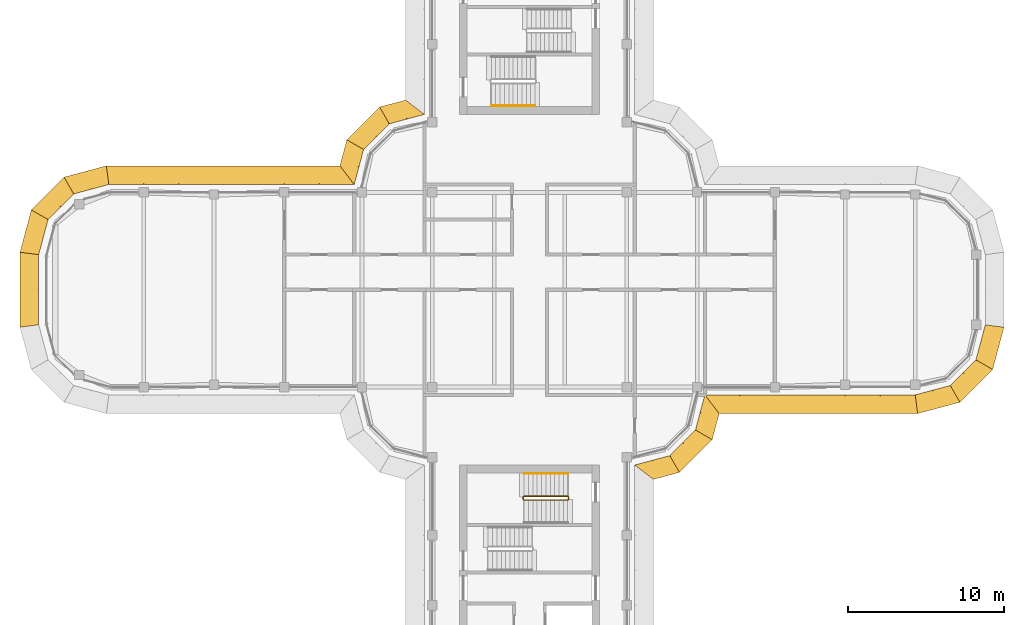
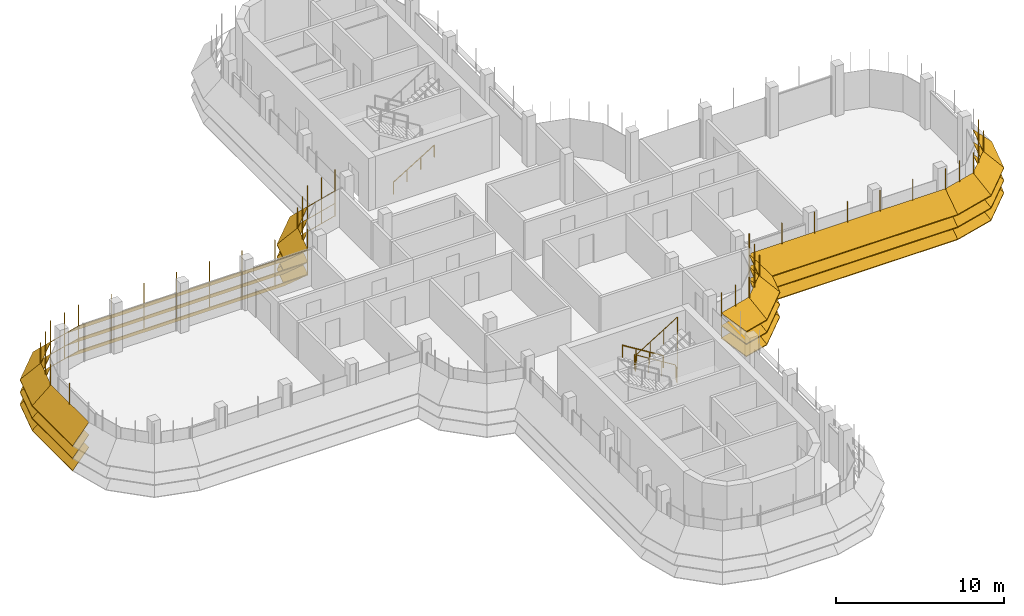
# One storey, part 17 of 19: 7 shading devices, 3 railings.
"""IFC4 building model written with IfcOpenShell, lengths in metres."""

from ifc_helpers import new_model, si_unit, direction, frame, origin, origin_2d, place, context, subcontext, project, spatial, polyline, circle, outline, extrude, faceted_brep, source, transform, mapped, material, type_object, element, save


model = new_model("IFC4")

# Units and contexts
model_context = context("Model", 3, precision=1e-05, world=origin(), true_north=direction((0.0, 1.0)))
body_context = subcontext(model_context, "Body", "Model", "MODEL_VIEW")
ifc_project = project(units=[si_unit("LENGTHUNIT", "METRE"), si_unit("AREAUNIT", "SQUARE_METRE"), si_unit("VOLUMEUNIT", "CUBIC_METRE"), si_unit("PLANEANGLEUNIT", "RADIAN"), si_unit("MASSUNIT", "GRAM", prefix="KILO")], contexts=[model_context])

# Site, building, storey
site_placement = place(None, origin())
site = spatial("IfcSite", under=ifc_project, at=site_placement, CompositionType="ELEMENT")
building_placement = place(site_placement, origin())
building = spatial("IfcBuilding", under=site, at=building_placement, Name="Zarbagh Exchange Tower", CompositionType="ELEMENT")
storey_placement = place(building_placement, frame((0.0, 0.0, 257.39990234375)))
storey = spatial("IfcBuildingStorey", under=building, at=storey_placement, Name="L63", CompositionType="ELEMENT", Elevation=257.39990234375)

# Railings
ifc_material_1 = material(Name="Stainless steel", Category="steel")
railing_type_1 = type_object("IfcRailingType", Name="Stair guard 1100 mm", PredefinedType="GUARDRAIL", material=ifc_material_1)
railing_1_placement = place(storey_placement, frame((-0.35009765625, -13.5, 2.07275390625)))
element("IfcRailing", 1, at=railing_1_placement, inside=storey, type_object=railing_type_1, Name="ST4 stair guard 1", PredefinedType="GUARDRAIL", context=body_context, shape_type="SweptSolid", body=[
    extrude(circle(Radius=0.02392578125, at=origin_2d()), frame((0.0, 0.0, 1.076171875), z_axis=(0.851089632645, 0.0, 0.525020415988), x_axis=(0.0, 1.0, 0.0)), (0.0, 0.0, 1.0), 3.2900390625),
    extrude(circle(Radius=0.02392578125, at=origin_2d()), frame((2.800048828125, 0.0, 2.80322265625), z_axis=(0.013168290981, 0.013168290981, -0.999826581076), x_axis=(-0.707106781187, 0.707106781187, 0.0)), (0.0, 0.0, 1.0), 3.80078125),
    extrude(circle(Radius=0.02392578125, at=origin_2d()), frame((2.85009765625, 0.050048828125, -0.99658203125), z_axis=(0.0, 1.0, 0.0), x_axis=(-1.0, 0.0, 0.0)), (0.0, 0.0, 1.0), 0.14990234375),
    extrude(circle(Radius=0.02392578125, at=origin_2d()), frame((2.85009765625, 0.199951171875, -0.99658203125), z_axis=(-0.267953482034, 0.267953482034, 0.925419830635), x_axis=(-0.707106781187, -0.707106781187, 0.0)), (0.0, 0.0, 1.0), 0.186767578125),
    extrude(circle(Radius=0.02392578125, at=origin_2d()), frame((2.800048828125, 0.25, -0.82373046875), z_axis=(-0.851089632645, 0.0, 0.525020415988), x_axis=(0.0, -1.0, 0.0)), (0.0, 0.0, 1.0), 3.2900390625),
    extrude(circle(Radius=0.02392578125, at=origin_2d()), frame((0.0, 0.25, 0.9033203125), z_axis=(-0.705375805398, -0.708833529934, 0.0), x_axis=(0.708833529934, -0.705375805398, 0.0)), (0.0, 0.0, 1.0), 0.070556640625),
    extrude(circle(Radius=0.02392578125, at=origin_2d()), frame((-0.0498046875, 0.199951171875, 0.9033203125), z_axis=(0.0, -1.0, 0.0), x_axis=(1.0, 0.0, 0.0)), (0.0, 0.0, 1.0), 0.14990234375),
    extrude(circle(Radius=0.02099609375, at=origin_2d()), origin(), (0.0, 0.0, 1.0), 1.052001953125),
    extrude(circle(Radius=0.02099609375, at=origin_2d()), frame((0.933349609375, 0.0, 0.57568359375)), (0.0, 0.0, 1.0), 1.052001953125),
    extrude(circle(Radius=0.02099609375, at=origin_2d()), frame((1.86669921875, 0.0, 1.151611328125)), (0.0, 0.0, 1.0), 1.052001953125),
    extrude(circle(Radius=0.02099609375, at=origin_2d()), frame((2.800048828125, 0.0, 1.727294921875)), (0.0, 0.0, 1.0), 1.052001953125),
    extrude(circle(Radius=0.02099609375, at=origin_2d()), frame((2.8125, 0.012451171875, 0.77734375)), (0.0, 0.0, 1.0), 1.052001953125),
    extrude(circle(Radius=0.02099609375, at=origin_2d()), frame((2.8251953125, 0.02490234375, -0.1728515625)), (0.0, 0.0, 1.0), 1.052001953125),
    extrude(circle(Radius=0.02099609375, at=origin_2d()), frame((2.837646484375, 0.03759765625, -1.122802734375)), (0.0, 0.0, 1.0), 1.052001953125),
    extrude(circle(Radius=0.02099609375, at=origin_2d()), frame((2.85009765625, 0.050048828125, -2.07275390625)), (0.0, 0.0, 1.0), 1.052001953125),
    extrude(circle(Radius=0.02099609375, at=origin_2d()), frame((2.85009765625, 0.199951171875, -2.07275390625)), (0.0, 0.0, 1.0), 1.052001953125),
    extrude(circle(Radius=0.02099609375, at=origin_2d()), frame((2.800048828125, 0.25, -1.89990234375)), (0.0, 0.0, 1.0), 1.052001953125),
    extrude(circle(Radius=0.02099609375, at=origin_2d()), frame((1.86669921875, 0.25, -1.32421875)), (0.0, 0.0, 1.0), 1.052001953125),
    extrude(circle(Radius=0.02099609375, at=origin_2d()), frame((0.933349609375, 0.25, -0.748291015625)), (0.0, 0.0, 1.0), 1.052001953125),
    extrude(circle(Radius=0.02099609375, at=origin_2d()), frame((0.0, 0.25, -0.172607421875)), (0.0, 0.0, 1.0), 1.052001953125),
    extrude(circle(Radius=0.02099609375, at=origin_2d()), frame((-0.0498046875, 0.199951171875, -0.172607421875)), (0.0, 0.0, 1.0), 1.052001953125),
    extrude(circle(Radius=0.02099609375, at=origin_2d()), frame((-0.0498046875, 0.050048828125, -0.172607421875)), (0.0, 0.0, 1.0), 1.052001953125),
])
railing_type_2 = type_object("IfcRailingType", Name="Stair handrail 900 mm", PredefinedType="HANDRAIL", material=ifc_material_1)
railing_2_placement = place(storey_placement, frame((-2.449951171875, 11.800048828125, 0.1728515625)))
element("IfcRailing", 2, at=railing_2_placement, inside=storey, type_object=railing_type_2, Name="ST2 stair handrail 1", PredefinedType="HANDRAIL", context=body_context, shape_type="SweptSolid", body=[
    extrude(circle(Radius=0.02392578125, at=origin_2d()), frame((0.0, 0.0, 0.8759765625), z_axis=(0.851089632645, 0.0, 0.525020415988), x_axis=(0.0, 1.0, 0.0)), (0.0, 0.0, 1.0), 3.2900390625),
    extrude(circle(Radius=0.02099609375, at=origin_2d()), origin(), (0.0, 0.0, 1.0), 0.851806640625),
    extrude(circle(Radius=0.02099609375, at=origin_2d()), frame((0.933349609375, 0.0, 0.57568359375)), (0.0, 0.0, 1.0), 0.851806640625),
    extrude(circle(Radius=0.02099609375, at=origin_2d()), frame((1.86669921875, 0.0, 1.151611328125)), (0.0, 0.0, 1.0), 0.851806640625),
    extrude(circle(Radius=0.02099609375, at=origin_2d()), frame((2.800048828125, 0.0, 1.727294921875)), (0.0, 0.0, 1.0), 0.851806640625),
])
railing_3_placement = place(storey_placement, frame((2.449951171875, -11.800048828125, 0.1728515625)))
element("IfcRailing", 3, at=railing_3_placement, inside=storey, type_object=railing_type_2, Name="ST4 stair handrail 1", PredefinedType="HANDRAIL", context=body_context, shape_type="SweptSolid", body=[
    extrude(circle(Radius=0.02392578125, at=origin_2d()), frame((0.0, 0.0, 0.8759765625), z_axis=(-0.851089632645, 0.0, 0.525020415988), x_axis=(0.0, -1.0, 0.0)), (0.0, 0.0, 1.0), 3.2900390625),
    extrude(circle(Radius=0.02099609375, at=origin_2d()), origin(), (0.0, 0.0, 1.0), 0.851806640625),
    extrude(circle(Radius=0.02099609375, at=origin_2d()), frame((-0.933349609375, 0.0, 0.57568359375)), (0.0, 0.0, 1.0), 0.851806640625),
    extrude(circle(Radius=0.02099609375, at=origin_2d()), frame((-1.86669921875, 0.0, 1.151611328125)), (0.0, 0.0, 1.0), 0.851806640625),
    extrude(circle(Radius=0.02099609375, at=origin_2d()), frame((-2.800048828125, 0.0, 1.727294921875)), (0.0, 0.0, 1.0), 0.851806640625),
])

# Shading devices
ifc_material_2 = material(Name="Anodised aluminium blades and brackets", Category="aluminium")
shading_device_type = type_object("IfcShadingDeviceType", Name="SUNSHADE louvre band, 45 degree blades", PredefinedType="JALOUSIE", material=ifc_material_2)
shared_shape_1 = source(origin(), body_context, "Body", "Brep", [
    faceted_brep([(0.0, 0.0, 0.0), (0.0, 0.0, -0.056640625), (-0.157958984375, -1.199951171875, -1.256591796875), (-0.157958984375, -1.199951171875, -1.199951171875), (2.65087890625, -1.199951171875, -1.199951171875), (2.65087890625, -1.199951171875, -1.256591796875), (2.329345703125, 0.0, -0.056640625), (2.329345703125, 0.0, 0.0)], [[[0, 1, 2, 3]], [[4, 5, 6, 7]], [[0, 7, 6, 1]], [[1, 6, 5, 2]], [[2, 5, 4, 3]], [[3, 4, 7, 0]]]),
])
shared_shape_2 = source(origin(), body_context, "Body", "Brep", [
    faceted_brep([(0.0, 0.0, 0.0), (0.0, 0.0, -0.056640625), (-0.321533203125, -1.199951171875, -1.256591796875), (-0.321533203125, -1.199951171875, -1.199951171875), (2.65087890625, -1.199951171875, -1.199951171875), (2.65087890625, -1.199951171875, -1.256591796875), (2.329345703125, 0.0, -0.056640625), (2.329345703125, 0.0, 0.0)], [[[0, 1, 2, 3]], [[4, 5, 6, 7]], [[0, 7, 6, 1]], [[1, 6, 5, 2]], [[2, 5, 4, 3]], [[3, 4, 7, 0]]]),
])
shared_shape_3 = source(origin(), body_context, "Body", "Brep", [
    faceted_brep([(0.0, 0.0, 0.0), (0.0, 0.0, -0.056640625), (-0.321533203125, -1.199951171875, -1.256591796875), (-0.321533203125, -1.199951171875, -1.199951171875), (2.4873046875, -1.199951171875, -1.199951171875), (2.4873046875, -1.199951171875, -1.256591796875), (2.329345703125, 0.0, -0.056640625), (2.329345703125, 0.0, 0.0)], [[[0, 1, 2, 3]], [[4, 5, 6, 7]], [[0, 7, 6, 1]], [[1, 6, 5, 2]], [[2, 5, 4, 3]], [[3, 4, 7, 0]]]),
])
shared_shape_4 = source(origin(), body_context, "Body", "SweptSolid", [
    extrude(outline(polyline([(0.0, -0.012451171875), (0.06005859375, -0.012451171875), (0.06005859375, 0.012451171875), (0.0, 0.012451171875), (0.0, -0.012451171875)])), origin(), (0.0, 0.0, 1.0), 3.366455078125),
])
placement = place(storey_placement, origin())
element("IfcShadingDevice", 4, at=placement, inside=storey, type_object=shading_device_type, Name="SS51 sunshade band", PredefinedType="JALOUSIE", context=body_context, shape_type="MappedRepresentation", body=[
    mapped(shared_shape_1, transform((24.75, -6.75, 2.300048828125), x_axis=(0.965924289636, 0.258824779902, 0.0), y_axis=(-0.258824779902, 0.965924289636, 0.0), z_axis=(0.0, 0.0, 1.0))),
    mapped(shared_shape_1, transform((24.75, -6.75, 1.400146484375), x_axis=(0.965924289636, 0.258824779902, 0.0), y_axis=(-0.258824779902, 0.965924289636, 0.0), z_axis=(0.0, 0.0, 1.0))),
    mapped(shared_shape_1, transform((24.75, -6.75, 0.5), x_axis=(0.965924289636, 0.258824779902, 0.0), y_axis=(-0.258824779902, 0.965924289636, 0.0), z_axis=(0.0, 0.0, 1.0))),
    mapped(shared_shape_2, transform((27.0, -6.147216796875, 2.300048828125), x_axis=(0.707106781187, 0.707106781187, 0.0), y_axis=(-0.707106781187, 0.707106781187, 0.0), z_axis=(0.0, 0.0, 1.0))),
    mapped(shared_shape_2, transform((27.0, -6.147216796875, 1.400146484375), x_axis=(0.707106781187, 0.707106781187, 0.0), y_axis=(-0.707106781187, 0.707106781187, 0.0), z_axis=(0.0, 0.0, 1.0))),
    mapped(shared_shape_2, transform((27.0, -6.147216796875, 0.5), x_axis=(0.707106781187, 0.707106781187, 0.0), y_axis=(-0.707106781187, 0.707106781187, 0.0), z_axis=(0.0, 0.0, 1.0))),
    mapped(shared_shape_3, transform((28.647216796875, -4.5, 2.300048828125), x_axis=(0.258824779902, 0.965924289636, 0.0), y_axis=(-0.965924289636, 0.258824779902, 0.0), z_axis=(0.0, 0.0, 1.0))),
    mapped(shared_shape_3, transform((28.647216796875, -4.5, 1.400146484375), x_axis=(0.258824779902, 0.965924289636, 0.0), y_axis=(-0.965924289636, 0.258824779902, 0.0), z_axis=(0.0, 0.0, 1.0))),
    mapped(shared_shape_3, transform((28.647216796875, -4.5, 0.5), x_axis=(0.258824779902, 0.965924289636, 0.0), y_axis=(-0.965924289636, 0.258824779902, 0.0), z_axis=(0.0, 0.0, 1.0))),
    mapped(shared_shape_4, transform((24.75, -6.75, 0.41357421875), x_axis=(0.130529263012, -0.991444457092, 0.0), y_axis=(0.991444457092, 0.130529263012, 0.0), z_axis=(0.0, 0.0, 1.0))),
    mapped(shared_shape_4, transform((25.875, -6.448486328125, 0.41357421875), x_axis=(0.258825058029, -0.96592421511, 0.0), y_axis=(0.96592421511, 0.258825058029, 0.0), z_axis=(0.0, 0.0, 1.0))),
    mapped(shared_shape_4, transform((27.0, -6.147216796875, 0.41357421875), x_axis=(0.50000275701, -0.866023812018, 0.0), y_axis=(0.866023812018, 0.50000275701, 0.0), z_axis=(0.0, 0.0, 1.0))),
    mapped(shared_shape_4, transform((27.823486328125, -5.323486328125, 0.41357421875), x_axis=(0.707106781187, -0.707106781187, 0.0), y_axis=(0.707106781187, 0.707106781187, 0.0), z_axis=(0.0, 0.0, 1.0))),
    mapped(shared_shape_4, transform((28.647216796875, -4.5, 0.41357421875), x_axis=(0.866023812018, -0.50000275701, 0.0), y_axis=(0.50000275701, 0.866023812018, 0.0), z_axis=(0.0, 0.0, 1.0))),
    mapped(shared_shape_4, transform((28.948486328125, -3.375, 0.41357421875), x_axis=(0.96592421511, -0.258825058029, 0.0), y_axis=(0.258825058029, 0.96592421511, 0.0), z_axis=(0.0, 0.0, 1.0))),
])
element("IfcShadingDevice", 5, at=placement, inside=storey, type_object=shading_device_type, Name="SS41 sunshade band", PredefinedType="JALOUSIE", context=body_context, shape_type="MappedRepresentation", body=[
    mapped(shared_shape_1, transform((-27.0, 6.75, 2.300048828125), x_axis=(-0.965924289636, -0.258824779902, 0.0), y_axis=(0.258824779902, -0.965924289636, 0.0), z_axis=(0.0, 0.0, 1.0))),
    mapped(shared_shape_1, transform((-27.0, 6.75, 1.400146484375), x_axis=(-0.965924289636, -0.258824779902, 0.0), y_axis=(0.258824779902, -0.965924289636, 0.0), z_axis=(0.0, 0.0, 1.0))),
    mapped(shared_shape_1, transform((-27.0, 6.75, 0.5), x_axis=(-0.965924289636, -0.258824779902, 0.0), y_axis=(0.258824779902, -0.965924289636, 0.0), z_axis=(0.0, 0.0, 1.0))),
    mapped(shared_shape_2, transform((-29.25, 6.147216796875, 2.300048828125), x_axis=(-0.707106781187, -0.707106781187, 0.0), y_axis=(0.707106781187, -0.707106781187, 0.0), z_axis=(0.0, 0.0, 1.0))),
    mapped(shared_shape_2, transform((-29.25, 6.147216796875, 1.400146484375), x_axis=(-0.707106781187, -0.707106781187, 0.0), y_axis=(0.707106781187, -0.707106781187, 0.0), z_axis=(0.0, 0.0, 1.0))),
    mapped(shared_shape_2, transform((-29.25, 6.147216796875, 0.5), x_axis=(-0.707106781187, -0.707106781187, 0.0), y_axis=(0.707106781187, -0.707106781187, 0.0), z_axis=(0.0, 0.0, 1.0))),
    mapped(shared_shape_3, transform((-30.897216796875, 4.5, 2.300048828125), x_axis=(-0.258824779902, -0.965924289636, 0.0), y_axis=(0.965924289636, -0.258824779902, 0.0), z_axis=(0.0, 0.0, 1.0))),
    mapped(shared_shape_3, transform((-30.897216796875, 4.5, 1.400146484375), x_axis=(-0.258824779902, -0.965924289636, 0.0), y_axis=(0.965924289636, -0.258824779902, 0.0), z_axis=(0.0, 0.0, 1.0))),
    mapped(shared_shape_3, transform((-30.897216796875, 4.5, 0.5), x_axis=(-0.258824779902, -0.965924289636, 0.0), y_axis=(0.965924289636, -0.258824779902, 0.0), z_axis=(0.0, 0.0, 1.0))),
    mapped(shared_shape_4, transform((-27.0, 6.75, 0.41357421875), x_axis=(-0.130529263012, 0.991444457092, 0.0), y_axis=(-0.991444457092, -0.130529263012, 0.0), z_axis=(0.0, 0.0, 1.0))),
    mapped(shared_shape_4, transform((-28.125, 6.448486328125, 0.41357421875), x_axis=(-0.258825058029, 0.96592421511, 0.0), y_axis=(-0.96592421511, -0.258825058029, 0.0), z_axis=(0.0, 0.0, 1.0))),
    mapped(shared_shape_4, transform((-29.25, 6.147216796875, 0.41357421875), x_axis=(-0.50000275701, 0.866023812018, 0.0), y_axis=(-0.866023812018, -0.50000275701, 0.0), z_axis=(0.0, 0.0, 1.0))),
    mapped(shared_shape_4, transform((-30.073486328125, 5.323486328125, 0.41357421875), x_axis=(-0.707106781187, 0.707106781187, 0.0), y_axis=(-0.707106781187, -0.707106781187, 0.0), z_axis=(0.0, 0.0, 1.0))),
    mapped(shared_shape_4, transform((-30.897216796875, 4.5, 0.41357421875), x_axis=(-0.866023812018, 0.50000275701, 0.0), y_axis=(-0.50000275701, -0.866023812018, 0.0), z_axis=(0.0, 0.0, 1.0))),
    mapped(shared_shape_4, transform((-31.198486328125, 3.375, 0.41357421875), x_axis=(-0.96592421511, 0.258825058029, 0.0), y_axis=(-0.258825058029, -0.96592421511, 0.0), z_axis=(0.0, 0.0, 1.0))),
])
shared_shape_5 = source(origin(), body_context, "Body", "Brep", [
    faceted_brep([(0.0, 0.0, 0.0), (0.0, 0.0, -0.056640625), (0.9208984375, -1.199951171875, -1.256591796875), (0.9208984375, -1.199951171875, -1.199951171875), (2.65087890625, -1.199951171875, -1.199951171875), (2.65087890625, -1.199951171875, -1.256591796875), (2.329345703125, 0.0, -0.056640625), (2.329345703125, 0.0, 0.0)], [[[0, 1, 2, 3]], [[4, 5, 6, 7]], [[0, 7, 6, 1]], [[1, 6, 5, 2]], [[2, 5, 4, 3]], [[3, 4, 7, 0]]]),
])
shared_shape_6 = source(origin(), body_context, "Body", "Brep", [
    faceted_brep([(0.0, 0.0, 0.0), (0.0, 0.0, -0.056640625), (-0.321533203125, -1.199951171875, -1.256591796875), (-0.321533203125, -1.199951171875, -1.199951171875), (1.40869140625, -1.199951171875, -1.199951171875), (1.40869140625, -1.199951171875, -1.256591796875), (2.329345703125, 0.0, -0.056640625), (2.329345703125, 0.0, 0.0)], [[[0, 1, 2, 3]], [[4, 5, 6, 7]], [[0, 7, 6, 1]], [[1, 6, 5, 2]], [[2, 5, 4, 3]], [[3, 4, 7, 0]]]),
])
element("IfcShadingDevice", 6, at=placement, inside=storey, type_object=shading_device_type, Name="SS03 sunshade band", PredefinedType="JALOUSIE", context=body_context, shape_type="MappedRepresentation", body=[
    mapped(shared_shape_5, transform((6.75, -11.25, 2.300048828125), x_axis=(0.965924289636, 0.258824779902, 0.0), y_axis=(-0.258824779902, 0.965924289636, 0.0), z_axis=(0.0, 0.0, 1.0))),
    mapped(shared_shape_5, transform((6.75, -11.25, 1.400146484375), x_axis=(0.965924289636, 0.258824779902, 0.0), y_axis=(-0.258824779902, 0.965924289636, 0.0), z_axis=(0.0, 0.0, 1.0))),
    mapped(shared_shape_5, transform((6.75, -11.25, 0.5), x_axis=(0.965924289636, 0.258824779902, 0.0), y_axis=(-0.258824779902, 0.965924289636, 0.0), z_axis=(0.0, 0.0, 1.0))),
    mapped(shared_shape_2, transform((9.0, -10.647216796875, 2.300048828125), x_axis=(0.707106781187, 0.707106781187, 0.0), y_axis=(-0.707106781187, 0.707106781187, 0.0), z_axis=(0.0, 0.0, 1.0))),
    mapped(shared_shape_2, transform((9.0, -10.647216796875, 1.400146484375), x_axis=(0.707106781187, 0.707106781187, 0.0), y_axis=(-0.707106781187, 0.707106781187, 0.0), z_axis=(0.0, 0.0, 1.0))),
    mapped(shared_shape_2, transform((9.0, -10.647216796875, 0.5), x_axis=(0.707106781187, 0.707106781187, 0.0), y_axis=(-0.707106781187, 0.707106781187, 0.0), z_axis=(0.0, 0.0, 1.0))),
    mapped(shared_shape_6, transform((10.647216796875, -9.0, 2.300048828125), x_axis=(0.258824779902, 0.965924289636, 0.0), y_axis=(-0.965924289636, 0.258824779902, 0.0), z_axis=(0.0, 0.0, 1.0))),
    mapped(shared_shape_6, transform((10.647216796875, -9.0, 1.400146484375), x_axis=(0.258824779902, 0.965924289636, 0.0), y_axis=(-0.965924289636, 0.258824779902, 0.0), z_axis=(0.0, 0.0, 1.0))),
    mapped(shared_shape_6, transform((10.647216796875, -9.0, 0.5), x_axis=(0.258824779902, 0.965924289636, 0.0), y_axis=(-0.965924289636, 0.258824779902, 0.0), z_axis=(0.0, 0.0, 1.0))),
    mapped(shared_shape_4, transform((6.75, -11.25, 0.41357421875), x_axis=(0.793355287, -0.608758892, 0.0), y_axis=(0.608758892, 0.793355287, 0.0), z_axis=(0.0, 0.0, 1.0))),
    mapped(shared_shape_4, transform((7.875, -10.948486328125, 0.41357421875), x_axis=(0.258825058029, -0.96592421511, 0.0), y_axis=(0.96592421511, 0.258825058029, 0.0), z_axis=(0.0, 0.0, 1.0))),
    mapped(shared_shape_4, transform((9.0, -10.647216796875, 0.41357421875), x_axis=(0.50000275701, -0.866023812018, 0.0), y_axis=(0.866023812018, 0.50000275701, 0.0), z_axis=(0.0, 0.0, 1.0))),
    mapped(shared_shape_4, transform((9.823486328125, -9.823486328125, 0.41357421875), x_axis=(0.707106781187, -0.707106781187, 0.0), y_axis=(0.707106781187, 0.707106781187, 0.0), z_axis=(0.0, 0.0, 1.0))),
    mapped(shared_shape_4, transform((10.647216796875, -9.0, 0.41357421875), x_axis=(0.866023812018, -0.50000275701, 0.0), y_axis=(0.50000275701, 0.866023812018, 0.0), z_axis=(0.0, 0.0, 1.0))),
    mapped(shared_shape_4, transform((10.948486328125, -7.875, 0.41357421875), x_axis=(0.96592421511, -0.258825058029, 0.0), y_axis=(0.258825058029, 0.96592421511, 0.0), z_axis=(0.0, 0.0, 1.0))),
])
element("IfcShadingDevice", 7, at=placement, inside=storey, type_object=shading_device_type, Name="SS15 sunshade band", PredefinedType="JALOUSIE", context=body_context, shape_type="MappedRepresentation", body=[
    mapped(shared_shape_5, transform((-6.75, 11.25, 2.300048828125), x_axis=(-0.965924289636, -0.258824779902, 0.0), y_axis=(0.258824779902, -0.965924289636, 0.0), z_axis=(0.0, 0.0, 1.0))),
    mapped(shared_shape_5, transform((-6.75, 11.25, 1.400146484375), x_axis=(-0.965924289636, -0.258824779902, 0.0), y_axis=(0.258824779902, -0.965924289636, 0.0), z_axis=(0.0, 0.0, 1.0))),
    mapped(shared_shape_5, transform((-6.75, 11.25, 0.5), x_axis=(-0.965924289636, -0.258824779902, 0.0), y_axis=(0.258824779902, -0.965924289636, 0.0), z_axis=(0.0, 0.0, 1.0))),
    mapped(shared_shape_2, transform((-9.0, 10.647216796875, 2.300048828125), x_axis=(-0.707106781187, -0.707106781187, 0.0), y_axis=(0.707106781187, -0.707106781187, 0.0), z_axis=(0.0, 0.0, 1.0))),
    mapped(shared_shape_2, transform((-9.0, 10.647216796875, 1.400146484375), x_axis=(-0.707106781187, -0.707106781187, 0.0), y_axis=(0.707106781187, -0.707106781187, 0.0), z_axis=(0.0, 0.0, 1.0))),
    mapped(shared_shape_2, transform((-9.0, 10.647216796875, 0.5), x_axis=(-0.707106781187, -0.707106781187, 0.0), y_axis=(0.707106781187, -0.707106781187, 0.0), z_axis=(0.0, 0.0, 1.0))),
    mapped(shared_shape_6, transform((-10.647216796875, 9.0, 2.300048828125), x_axis=(-0.258824779902, -0.965924289636, 0.0), y_axis=(0.965924289636, -0.258824779902, 0.0), z_axis=(0.0, 0.0, 1.0))),
    mapped(shared_shape_6, transform((-10.647216796875, 9.0, 1.400146484375), x_axis=(-0.258824779902, -0.965924289636, 0.0), y_axis=(0.965924289636, -0.258824779902, 0.0), z_axis=(0.0, 0.0, 1.0))),
    mapped(shared_shape_6, transform((-10.647216796875, 9.0, 0.5), x_axis=(-0.258824779902, -0.965924289636, 0.0), y_axis=(0.965924289636, -0.258824779902, 0.0), z_axis=(0.0, 0.0, 1.0))),
    mapped(shared_shape_4, transform((-6.75, 11.25, 0.41357421875), x_axis=(-0.793355287, 0.608758892, 0.0), y_axis=(-0.608758892, -0.793355287, 0.0), z_axis=(0.0, 0.0, 1.0))),
    mapped(shared_shape_4, transform((-7.875, 10.948486328125, 0.41357421875), x_axis=(-0.258825058029, 0.96592421511, 0.0), y_axis=(-0.96592421511, -0.258825058029, 0.0), z_axis=(0.0, 0.0, 1.0))),
    mapped(shared_shape_4, transform((-9.0, 10.647216796875, 0.41357421875), x_axis=(-0.50000275701, 0.866023812018, 0.0), y_axis=(-0.866023812018, -0.50000275701, 0.0), z_axis=(0.0, 0.0, 1.0))),
    mapped(shared_shape_4, transform((-9.823486328125, 9.823486328125, 0.41357421875), x_axis=(-0.707106781187, 0.707106781187, 0.0), y_axis=(-0.707106781187, -0.707106781187, 0.0), z_axis=(0.0, 0.0, 1.0))),
    mapped(shared_shape_4, transform((-10.647216796875, 9.0, 0.41357421875), x_axis=(-0.866023812018, 0.50000275701, 0.0), y_axis=(-0.50000275701, -0.866023812018, 0.0), z_axis=(0.0, 0.0, 1.0))),
    mapped(shared_shape_4, transform((-10.948486328125, 7.875, 0.41357421875), x_axis=(-0.96592421511, 0.258825058029, 0.0), y_axis=(-0.258825058029, -0.96592421511, 0.0), z_axis=(0.0, 0.0, 1.0))),
])
shared_shape_7 = source(origin(), body_context, "Body", "Brep", [
    faceted_brep([(0.0, 0.0, 0.0), (0.0, 0.0, -0.056640625), (0.9208984375, -1.199951171875, -1.256591796875), (0.9208984375, -1.199951171875, -1.199951171875), (13.657958984375, -1.199951171875, -1.199951171875), (13.657958984375, -1.199951171875, -1.256591796875), (13.5, 0.0, -0.056640625), (13.5, 0.0, 0.0)], [[[0, 1, 2, 3]], [[4, 5, 6, 7]], [[0, 7, 6, 1]], [[1, 6, 5, 2]], [[2, 5, 4, 3]], [[3, 4, 7, 0]]]),
])
element("IfcShadingDevice", 8, at=placement, inside=storey, type_object=shading_device_type, Name="SS50 sunshade band", PredefinedType="JALOUSIE", context=body_context, shape_type="MappedRepresentation", body=[
    mapped(shared_shape_7, transform((11.25, -6.75, 2.300048828125), x_axis=(1.0, 0.0, 0.0), y_axis=(0.0, 1.0, 0.0), z_axis=(0.0, 0.0, 1.0))),
    mapped(shared_shape_7, transform((11.25, -6.75, 1.400146484375), x_axis=(1.0, 0.0, 0.0), y_axis=(0.0, 1.0, 0.0), z_axis=(0.0, 0.0, 1.0))),
    mapped(shared_shape_7, transform((11.25, -6.75, 0.5), x_axis=(1.0, 0.0, 0.0), y_axis=(0.0, 1.0, 0.0), z_axis=(0.0, 0.0, 1.0))),
    mapped(shared_shape_4, transform((11.25, -6.75, 0.41357421875), x_axis=(0.608758892, -0.793355287, 0.0), y_axis=(0.793355287, 0.608758892, 0.0), z_axis=(0.0, 0.0, 1.0))),
    mapped(shared_shape_4, transform((13.5, -6.75, 0.41357421875), x_axis=(0.0, -1.0, 0.0), y_axis=(1.0, 0.0, 0.0), z_axis=(0.0, 0.0, 1.0))),
    mapped(shared_shape_4, transform((15.75, -6.75, 0.41357421875), x_axis=(0.0, -1.0, 0.0), y_axis=(1.0, 0.0, 0.0), z_axis=(0.0, 0.0, 1.0))),
    mapped(shared_shape_4, transform((18.0, -6.75, 0.41357421875), x_axis=(0.0, -1.0, 0.0), y_axis=(1.0, 0.0, 0.0), z_axis=(0.0, 0.0, 1.0))),
    mapped(shared_shape_4, transform((20.25, -6.75, 0.41357421875), x_axis=(0.0, -1.0, 0.0), y_axis=(1.0, 0.0, 0.0), z_axis=(0.0, 0.0, 1.0))),
    mapped(shared_shape_4, transform((22.5, -6.75, 0.41357421875), x_axis=(0.0, -1.0, 0.0), y_axis=(1.0, 0.0, 0.0), z_axis=(0.0, 0.0, 1.0))),
])
shared_shape_8 = source(origin(), body_context, "Body", "Brep", [
    faceted_brep([(0.0, 0.0, 0.0), (0.0, 0.0, -0.056640625), (0.9208984375, -1.199951171875, -1.256591796875), (0.9208984375, -1.199951171875, -1.199951171875), (15.907958984375, -1.199951171875, -1.199951171875), (15.907958984375, -1.199951171875, -1.256591796875), (15.75, 0.0, -0.056640625), (15.75, 0.0, 0.0)], [[[0, 1, 2, 3]], [[4, 5, 6, 7]], [[0, 7, 6, 1]], [[1, 6, 5, 2]], [[2, 5, 4, 3]], [[3, 4, 7, 0]]]),
])
element("IfcShadingDevice", 9, at=placement, inside=storey, type_object=shading_device_type, Name="SS40 sunshade band", PredefinedType="JALOUSIE", context=body_context, shape_type="MappedRepresentation", body=[
    mapped(shared_shape_8, transform((-11.25, 6.75, 2.300048828125), x_axis=(-1.0, 0.0, 0.0), y_axis=(0.0, -1.0, 0.0), z_axis=(0.0, 0.0, 1.0))),
    mapped(shared_shape_8, transform((-11.25, 6.75, 1.400146484375), x_axis=(-1.0, 0.0, 0.0), y_axis=(0.0, -1.0, 0.0), z_axis=(0.0, 0.0, 1.0))),
    mapped(shared_shape_8, transform((-11.25, 6.75, 0.5), x_axis=(-1.0, 0.0, 0.0), y_axis=(0.0, -1.0, 0.0), z_axis=(0.0, 0.0, 1.0))),
    mapped(shared_shape_4, transform((-11.25, 6.75, 0.41357421875), x_axis=(-0.608758892, 0.793355287, 0.0), y_axis=(-0.793355287, -0.608758892, 0.0), z_axis=(0.0, 0.0, 1.0))),
    mapped(shared_shape_4, transform((-13.5, 6.75, 0.41357421875), x_axis=(0.0, 1.0, 0.0), y_axis=(-1.0, 0.0, 0.0), z_axis=(0.0, 0.0, 1.0))),
    mapped(shared_shape_4, transform((-15.75, 6.75, 0.41357421875), x_axis=(0.0, 1.0, 0.0), y_axis=(-1.0, 0.0, 0.0), z_axis=(0.0, 0.0, 1.0))),
    mapped(shared_shape_4, transform((-18.0, 6.75, 0.41357421875), x_axis=(0.0, 1.0, 0.0), y_axis=(-1.0, 0.0, 0.0), z_axis=(0.0, 0.0, 1.0))),
    mapped(shared_shape_4, transform((-20.25, 6.75, 0.41357421875), x_axis=(0.0, 1.0, 0.0), y_axis=(-1.0, 0.0, 0.0), z_axis=(0.0, 0.0, 1.0))),
    mapped(shared_shape_4, transform((-22.5, 6.75, 0.41357421875), x_axis=(0.0, 1.0, 0.0), y_axis=(-1.0, 0.0, 0.0), z_axis=(0.0, 0.0, 1.0))),
    mapped(shared_shape_4, transform((-24.75, 6.75, 0.41357421875), x_axis=(0.0, 1.0, 0.0), y_axis=(-1.0, 0.0, 0.0), z_axis=(0.0, 0.0, 1.0))),
])
shared_shape_9 = source(origin(), body_context, "Body", "Brep", [
    faceted_brep([(0.0, 0.0, 0.0), (0.0, 0.0, -0.056640625), (-0.157958984375, -1.199951171875, -1.256591796875), (-0.157958984375, -1.199951171875, -1.199951171875), (4.657958984375, -1.199951171875, -1.199951171875), (4.657958984375, -1.199951171875, -1.256591796875), (4.5, 0.0, -0.056640625), (4.5, 0.0, 0.0)], [[[0, 1, 2, 3]], [[4, 5, 6, 7]], [[0, 7, 6, 1]], [[1, 6, 5, 2]], [[2, 5, 4, 3]], [[3, 4, 7, 0]]]),
])
element("IfcShadingDevice", 10, at=placement, inside=storey, type_object=shading_device_type, Name="SS42 sunshade band", PredefinedType="JALOUSIE", context=body_context, shape_type="MappedRepresentation", body=[
    mapped(shared_shape_9, transform((-31.5, 2.25, 2.300048828125), x_axis=(0.0, -1.0, 0.0), y_axis=(1.0, 0.0, 0.0), z_axis=(0.0, 0.0, 1.0))),
    mapped(shared_shape_9, transform((-31.5, 2.25, 1.400146484375), x_axis=(0.0, -1.0, 0.0), y_axis=(1.0, 0.0, 0.0), z_axis=(0.0, 0.0, 1.0))),
    mapped(shared_shape_9, transform((-31.5, 2.25, 0.5), x_axis=(0.0, -1.0, 0.0), y_axis=(1.0, 0.0, 0.0), z_axis=(0.0, 0.0, 1.0))),
    mapped(shared_shape_4, transform((-31.5, 2.25, 0.41357421875), x_axis=(-0.991444457092, 0.130529263012, 0.0), y_axis=(-0.130529263012, -0.991444457092, 0.0), z_axis=(0.0, 0.0, 1.0))),
    mapped(shared_shape_4, transform((-31.5, 0.0, 0.41357421875), x_axis=(-1.0, 0.0, 0.0), y_axis=(0.0, -1.0, 0.0), z_axis=(0.0, 0.0, 1.0))),
])

save(model, "model.ifc")
